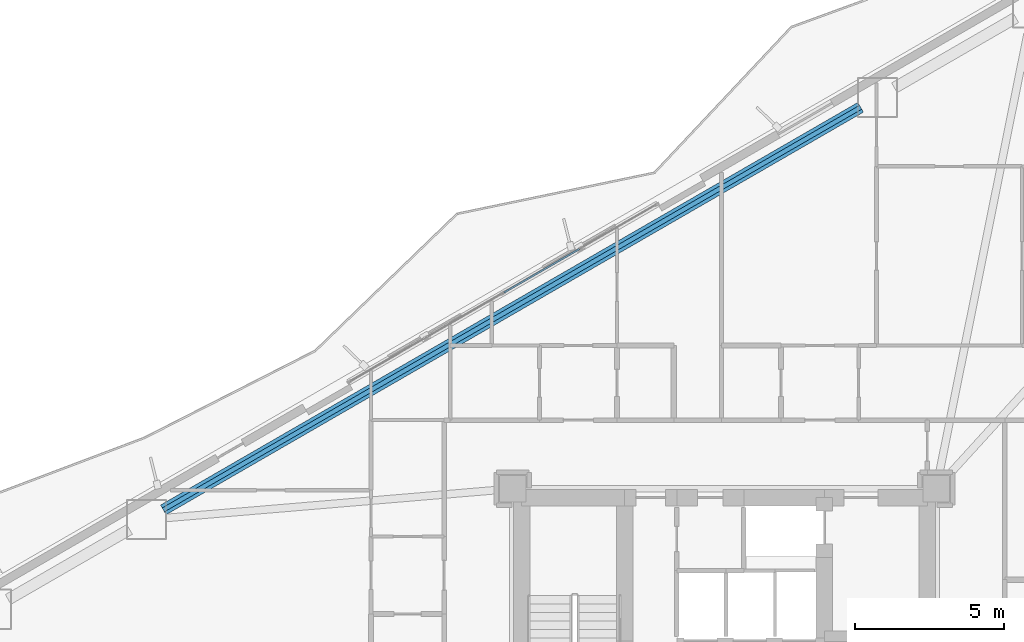
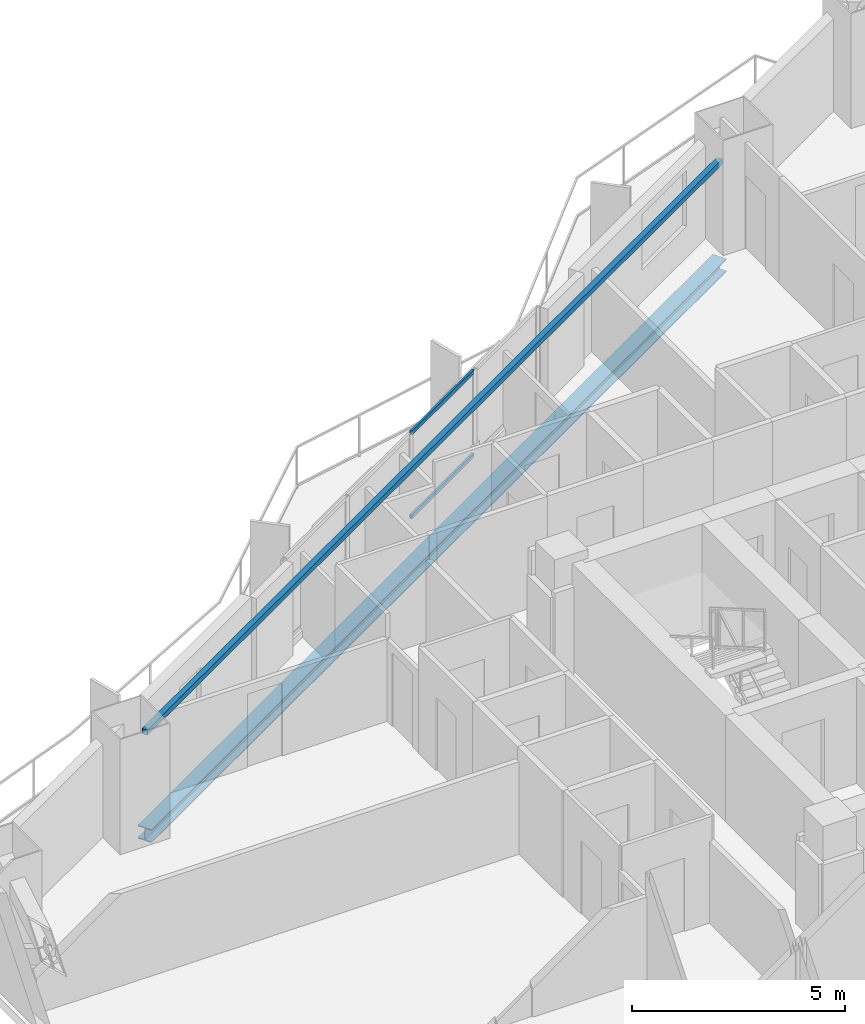
# One storey, part 8 of 18: 2 beams, 2 members, 1 element without a shape of its own.
"""IFC4 building model written with IfcOpenShell, lengths in metres."""

import ifcopenshell
import ifcopenshell.guid

model = None  # the IFC model being written
_history = None  # IfcOwnerHistory: only IFC2X3 demands one
_inside = {}  # id of a spatial element -> (the spatial element, [elements in it])
_under = {}  # id of a project, library or spatial element -> (it, [spatial elements below it])
_declared = {}  # id of a project -> (the project, [libraries it declares])
_typed = {}  # id of a type object -> (the type object, [elements of that type])
_made_of = {}  # id of a material, layer set ... -> (it, [elements and type objects made of it])


def new_model(schema):
    """Start an empty IFC model of exactly this schema.

    Asked for "IFC4X3", IfcOpenShell would pick the latest addendum, in which some entities
    have other attributes; the version numbers below select the first issue.
    IFC2X3 requires an IfcOwnerHistory on every rooted entity: one is made here for all.
    """
    global model, _history
    if schema == "IFC4X3":
        model = ifcopenshell.file(schema_version=(4, 3, 0, 0))
    else:
        model = ifcopenshell.file(schema=schema)
    _inside.clear()
    _under.clear()
    _declared.clear()
    _typed.clear()
    _made_of.clear()
    _history = None
    if model.schema == "IFC2X3":
        org = make("IfcOrganization", Name="unknown")
        user = make(
            "IfcPersonAndOrganization",
            ThePerson=make("IfcPerson", FamilyName="unknown"),
            TheOrganization=org,
        )
        app = make(
            "IfcApplication",
            ApplicationDeveloper=org,
            Version="unknown",
            ApplicationFullName="unknown",
            ApplicationIdentifier="unknown",
        )
        _history = make(
            "IfcOwnerHistory",
            OwningUser=user,
            OwningApplication=app,
            ChangeAction="ADDED",
            CreationDate=0,
        )
    return model


def make(cls, **values):
    """One entity of the class cls with the attributes given. An attribute that is None is left unset."""
    return model.create_entity(
        cls, **{name: value for name, value in values.items() if value is not None}
    )


def rooted(cls, **values):
    """An entity with a GlobalId (a new one), such as an element, a storey or a relation."""
    return make(cls, GlobalId=ifcopenshell.guid.new(), OwnerHistory=_history, **values)


def si_unit(unit_type, name, prefix=None):
    """IfcSIUnit, for example si_unit("LENGTHUNIT", "METRE", prefix="MILLI")."""
    return make("IfcSIUnit", UnitType=unit_type, Prefix=prefix, Name=name)


def assignment(units):
    """IfcUnitAssignment: the units of a project."""
    return None if units is None else make("IfcUnitAssignment", Units=units)


def point(xyz):
    """IfcCartesianPoint."""
    return None if xyz is None else make("IfcCartesianPoint", Coordinates=xyz)


def direction(xyz):
    """IfcDirection."""
    return None if xyz is None else make("IfcDirection", DirectionRatios=xyz)


def frame(location, z_axis=None, x_axis=None):
    """IfcAxis2Placement3D, a coordinate frame: its origin and axes. An axis left out is left unset."""
    return make(
        "IfcAxis2Placement3D",
        Location=point(location),
        Axis=direction(z_axis),
        RefDirection=direction(x_axis),
    )


def frame_2d(location, x_axis=None):
    """IfcAxis2Placement2D, a coordinate frame in the plane: its origin and x axis."""
    return make(
        "IfcAxis2Placement2D", Location=point(location), RefDirection=direction(x_axis)
    )


def origin():
    """The frame at (0, 0, 0) with its axes left unset."""
    return frame((0.0, 0.0, 0.0))


def origin_2d():
    """The frame at (0, 0) in the plane with its x axis left unset."""
    return frame_2d((0.0, 0.0))


def place(relative_to, where):
    """IfcLocalPlacement: puts the frame where relative to a parent placement (None: the world)."""
    return make(
        "IfcLocalPlacement", PlacementRelTo=relative_to, RelativePlacement=where
    )


def context(
    kind, dimensions, precision=None, world=None, true_north=None, identifier=None
):
    """IfcGeometricRepresentationContext, for example the 3D "Model" context."""
    return make(
        "IfcGeometricRepresentationContext",
        ContextIdentifier=identifier,
        ContextType=kind,
        CoordinateSpaceDimension=dimensions,
        Precision=precision,
        WorldCoordinateSystem=world,
        TrueNorth=true_north,
    )


def subcontext(parent, identifier, kind, view, scale=None):
    """IfcGeometricRepresentationSubContext, for example "Body" below "Model"."""
    return make(
        "IfcGeometricRepresentationSubContext",
        ContextIdentifier=identifier,
        ContextType=kind,
        ParentContext=parent,
        TargetScale=scale,
        TargetView=view,
    )


def project(units=None, contexts=None):
    """IfcProject with its units and contexts."""
    return rooted(
        "IfcProject",
        Name="project",
        RepresentationContexts=contexts,
        UnitsInContext=assignment(units),
    )


def spatial(cls, under=None, at=None, **own):
    """A site, building, storey or space (cls), placed at a placement, below another one or the project."""
    s = rooted(cls, ObjectPlacement=at, **own)
    if under is not None:
        _under.setdefault(under.id(), (under, []))[1].append(s)
    return s


def profile(cls, at=None, kind="AREA", **sizes):
    """A parametric profile (cls). Its sizes go by their IFC names, for example OverallWidth=200.0."""
    return make(cls, ProfileType=kind, Position=at, **sizes)


def hollow_rectangle(**sizes):
    """IfcRectangleHollowProfileDef."""
    return profile("IfcRectangleHollowProfileDef", **sizes)


def i_section(**sizes):
    """IfcIShapeProfileDef."""
    return profile("IfcIShapeProfileDef", **sizes)


def extrude(swept, where, along, depth):
    """IfcExtrudedAreaSolid: the profile swept, set in the frame where, extruded along a direction by depth."""
    return make(
        "IfcExtrudedAreaSolid",
        SweptArea=swept,
        Position=where,
        ExtrudedDirection=direction(along),
        Depth=depth,
    )


def shape(context_of_items, identifier, shape_type, items):
    """IfcShapeRepresentation: the items that make up one representation, for example the "Body"."""
    return make(
        "IfcShapeRepresentation",
        ContextOfItems=context_of_items,
        RepresentationIdentifier=identifier,
        RepresentationType=shape_type,
        Items=items,
    )


def material(Name=None, Category=None):
    """IfcMaterial."""
    return make("IfcMaterial", Name=Name, Category=Category)


def layer(
    of_material, thickness, ventilated=None, Name=None, Category=None, Priority=None
):
    """IfcMaterialLayer: one layer of a wall or slab, of a material (None: an air gap)."""
    return make(
        "IfcMaterialLayer",
        Material=of_material,
        LayerThickness=thickness,
        IsVentilated=ventilated,
        Name=Name,
        Category=Category,
        Priority=Priority,
    )


def layer_set(layers, Name=None):
    """IfcMaterialLayerSet."""
    return make("IfcMaterialLayerSet", MaterialLayers=layers, LayerSetName=Name)


def material_profile(
    of_material, cross_section, Name=None, Category=None, Priority=None
):
    """IfcMaterialProfile: a cross section and its material."""
    return make(
        "IfcMaterialProfile",
        Name=Name,
        Material=of_material,
        Profile=cross_section,
        Priority=Priority,
        Category=Category,
    )


def profile_set(profiles, Name=None, composite=None):
    """IfcMaterialProfileSet."""
    return make(
        "IfcMaterialProfileSet",
        Name=Name,
        MaterialProfiles=profiles,
        CompositeProfile=composite,
    )


def made_of(thing, what):
    """Note that an element or type object is made of a material, layer set ...; save() writes the relation."""
    if what is not None:
        _made_of.setdefault(what.id(), (what, []))[1].append(thing)
    return thing


def type_object(cls, material=None, **own):
    """A type object (cls), such as IfcWallType, which elements share."""
    return made_of(rooted(cls, **own), material)


def element(
    cls,
    number,
    at=None,
    inside=None,
    cuts=None,
    type_object=None,
    material=None,
    context=None,
    identifier="Body",
    shape_type=None,
    held_by="IfcProductDefinitionShape",
    body=None,
    shapes=None,
    **own,
):
    """One element of the class cls, such as IfcWall. Its Tag is "e" and its number.

    at: its placement. inside: the storey or other place that contains it. cuts: it is an
    opening in that element (IfcRelVoidsElement). A single representation is given by context,
    identifier, shape_type and body (its items); several are given by shapes. held_by: the class
    of the entity that holds the representations. save() writes the other relations.
    """
    e = rooted(cls, Tag="e%d" % number, ObjectPlacement=at, **own)
    if body is not None:
        shapes = [shape(context, identifier, shape_type, body)]
    if shapes is not None:
        e.Representation = make(held_by, Representations=shapes)
    if inside is not None:
        _inside.setdefault(inside.id(), (inside, []))[1].append(e)
    if cuts is not None:
        rooted(
            "IfcRelVoidsElement", RelatingBuildingElement=cuts, RelatedOpeningElement=e
        )
    if type_object is not None:
        _typed.setdefault(type_object.id(), (type_object, []))[1].append(e)
    return made_of(e, material)


def aggregate(whole, parts):
    """IfcRelAggregates: a whole, such as a stair, and the parts it consists of."""
    return rooted("IfcRelAggregates", RelatingObject=whole, RelatedObjects=parts)


def save(model, path):
    """Write the relations noted so far, then the file.

    IfcRelAggregates (storeys below a building ...), IfcRelContainedInSpatialStructure (elements
    in a storey), IfcRelDefinesByType, IfcRelAssociatesMaterial and IfcRelDeclares: one each for
    every whole, place, type object, material and project.
    """
    for whole, parts in _under.values():
        aggregate(whole, parts)
    for where, things in _inside.values():
        rooted(
            "IfcRelContainedInSpatialStructure",
            RelatedElements=things,
            RelatingStructure=where,
        )
    for kind, things in _typed.values():
        rooted("IfcRelDefinesByType", RelatedObjects=things, RelatingType=kind)
    for what, things in _made_of.values():
        rooted("IfcRelAssociatesMaterial", RelatedObjects=things, RelatingMaterial=what)
    for by, libraries in _declared.values():
        rooted("IfcRelDeclares", RelatingContext=by, RelatedDefinitions=libraries)
    model.write(path)


model = new_model("IFC4")

# Units and contexts
model_context = context("Model", 3, precision=1e-05, world=origin(), true_north=direction((0.0, 1.0)))
body_context = subcontext(model_context, "Body", "Model", "MODEL_VIEW")
ifc_project = project(units=[si_unit("LENGTHUNIT", "METRE"), si_unit("AREAUNIT", "SQUARE_METRE"), si_unit("VOLUMEUNIT", "CUBIC_METRE"), si_unit("PLANEANGLEUNIT", "RADIAN"), si_unit("MASSUNIT", "GRAM", prefix="KILO")], contexts=[model_context])

# Site, building, storey
site_placement = place(None, origin())
site = spatial("IfcSite", under=ifc_project, at=site_placement, CompositionType="ELEMENT")
building_placement = place(site_placement, origin())
building = spatial("IfcBuilding", under=site, at=building_placement, Name="Mersakhor Tower and Convention Hall", CompositionType="ELEMENT")
storey_placement = place(building_placement, frame((0.0, 0.0, 35.699951171875)))
storey = spatial("IfcBuildingStorey", under=building, at=storey_placement, Name="L09", CompositionType="ELEMENT", Elevation=35.699951171875)

# Beams
ifc_material_1 = material(Name="Steel S355", Category="steel")
ifc_material_profile_1 = material_profile(ifc_material_1, hollow_rectangle(XDim=0.14990234375, YDim=0.14990234375, WallThickness=0.010009765625, at=origin_2d()), Name="SHS 150x150x10")
ifc_profile_set_1 = profile_set([ifc_material_profile_1], Name="Steel S355")
beam_type_1 = type_object("IfcBeamType", Name="BM-GRT-SHS150", PredefinedType="USERDEFINED", material=ifc_profile_set_1)
beam_1_placement = place(storey_placement, frame((10.183837890625, 32.341064453125, 2.47998046875), z_axis=(0.866025970279, 0.499999018801, 0.0), x_axis=(-0.499999018801, 0.866025970279, 0.0)))
element("IfcBeam", 1, at=beam_1_placement, inside=storey, type_object=beam_type_1, Name="L09 Facade Support Girt GRT-F1", ObjectType="GIRT", PredefinedType="USERDEFINED", context=body_context, shape_type="SweptSolid", body=[
    extrude(hollow_rectangle(XDim=0.14990234375, YDim=0.14990234375, WallThickness=0.010009765625, at=origin_2d()), origin(), (0.0, 0.0, 1.0), 26.99951171875),
])
ifc_material_2 = material(Name="Steel S355", Category="steel")
ifc_material_profile_2 = material_profile(ifc_material_2, i_section(OverallWidth=0.374755859375, OverallDepth=0.37451171875, WebThickness=0.0166015625, FlangeThickness=0.027099609375, at=origin_2d()), Name="UC 356x368x202")
ifc_profile_set_2 = profile_set([ifc_material_profile_2], Name="Steel S355")
beam_type_2 = type_object("IfcBeamType", Name="BM-SPD-UC356", PredefinedType="SPANDREL", material=ifc_profile_set_2)
beam_2_placement = place(storey_placement, frame((10.183837890625, 32.341064453125, -0.447265625), z_axis=(0.866025970279, 0.499999018801, 0.0), x_axis=(-0.499999018801, 0.866025970279, 0.0)))
element("IfcBeam", 2, at=beam_2_placement, inside=storey, type_object=beam_type_2, Name="L09 Perimeter Spandrel Beam SPB-02", PredefinedType="SPANDREL", context=body_context, shape_type="SweptSolid", body=[
    extrude(i_section(OverallWidth=0.374755859375, OverallDepth=0.37451171875, WebThickness=0.0166015625, FlangeThickness=0.027099609375, at=origin_2d()), origin(), (0.0, 0.0, 1.0), 26.99951171875),
])

# Curtain wall, members
ifc_material_3 = material(Name="Dark solar low-E aluminium curtain wall", Category="aluminium")
ifc_layer = layer(ifc_material_3, 0.159912109375)
ifc_layer_set = layer_set([ifc_layer], Name="Dark solar low-E aluminium curtain wall")
curtain_wall_type = type_object("IfcCurtainWallType", Name="CW-SYS-01", PredefinedType="USERDEFINED", material=ifc_layer_set)
curtain_wall_placement = place(storey_placement, origin())
curtain_wall = element("IfcCurtainWall", 3, at=curtain_wall_placement, inside=storey, type_object=curtain_wall_type, Name="L09 Dark-Glass Curtain Wall F1-B2", ObjectType="CURTAIN WALL", PredefinedType="USERDEFINED")
ifc_material_4 = material(Name="Anodised aluminium EN AW-6063 T6", Category="aluminium")
ifc_material_profile_3 = material_profile(ifc_material_4, hollow_rectangle(XDim=0.06005859375, YDim=0.1201171875, WallThickness=0.0048828125, at=origin_2d()), Name="RHS 120x60x5")
ifc_profile_set_3 = profile_set([ifc_material_profile_3], Name="Anodised aluminium EN AW-6063 T6")
member_type = type_object("IfcMemberType", Name="CWT-120x60", PredefinedType="USERDEFINED", material=ifc_profile_set_3)
member_1_placement = place(storey_placement, frame((21.607421875, 39.629150390625, 0.22998046875), z_axis=(0.866015622527, 0.500016941252, 0.0), x_axis=(-0.500016941252, 0.866015622527, 0.0)))
member_1 = element("IfcMember", 4, at=member_1_placement, type_object=member_type, Name="CW-01 transom 3.1", ObjectType="TRANSOM", PredefinedType="USERDEFINED", context=body_context, shape_type="SweptSolid", body=[
    extrude(hollow_rectangle(XDim=0.06005859375, YDim=0.1201171875, WallThickness=0.0048828125, at=origin_2d()), origin(), (0.0, 0.0, 1.0), 2.91845703125),
])
member_2_placement = place(storey_placement, frame((21.607421875, 39.629150390625, 2.630126953125), z_axis=(0.866015622527, 0.500016941252, 0.0), x_axis=(-0.500016941252, 0.866015622527, 0.0)))
member_2 = element("IfcMember", 5, at=member_2_placement, type_object=member_type, Name="CW-01 transom 3.2", ObjectType="TRANSOM", PredefinedType="USERDEFINED", context=body_context, shape_type="SweptSolid", body=[
    extrude(hollow_rectangle(XDim=0.06005859375, YDim=0.1201171875, WallThickness=0.0048828125, at=origin_2d()), origin(), (0.0, 0.0, 1.0), 2.91845703125),
])
aggregate(curtain_wall, [member_1, member_2])

save(model, "model.ifc")
